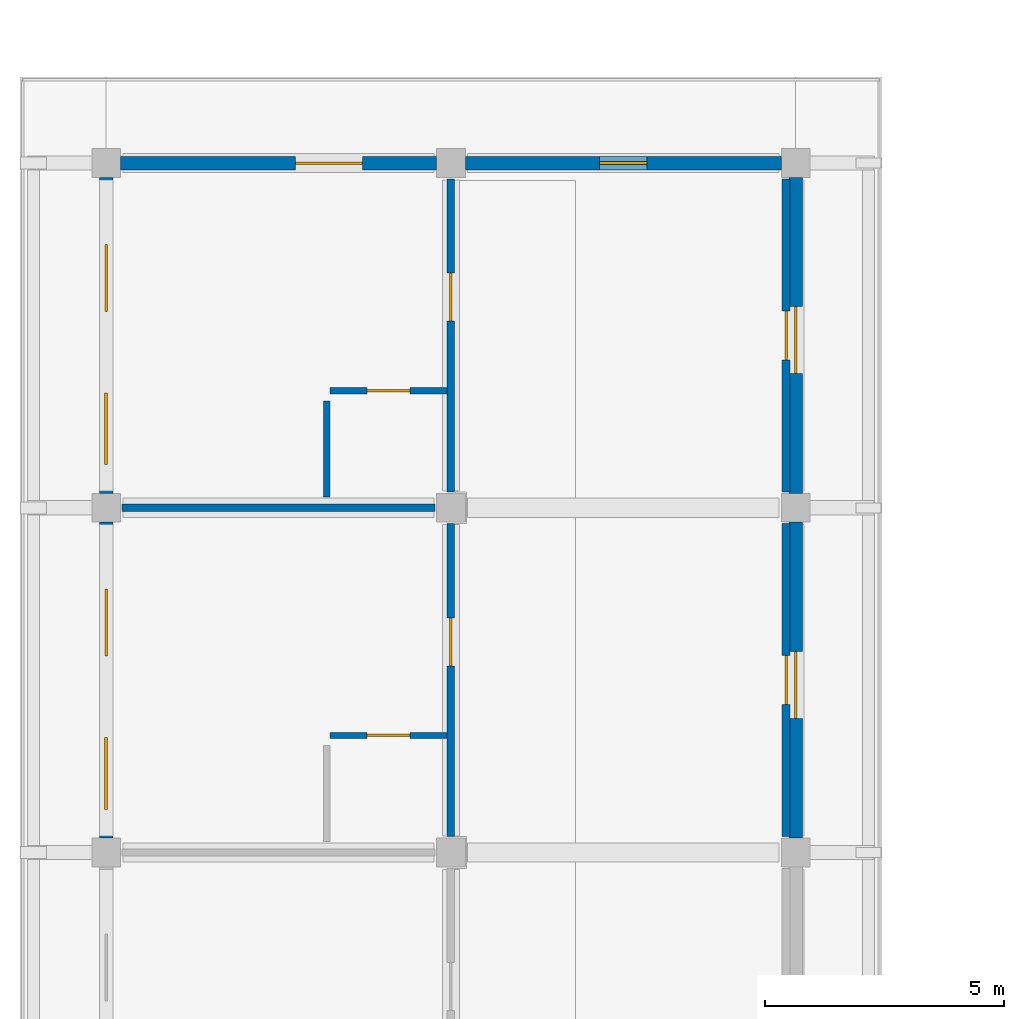
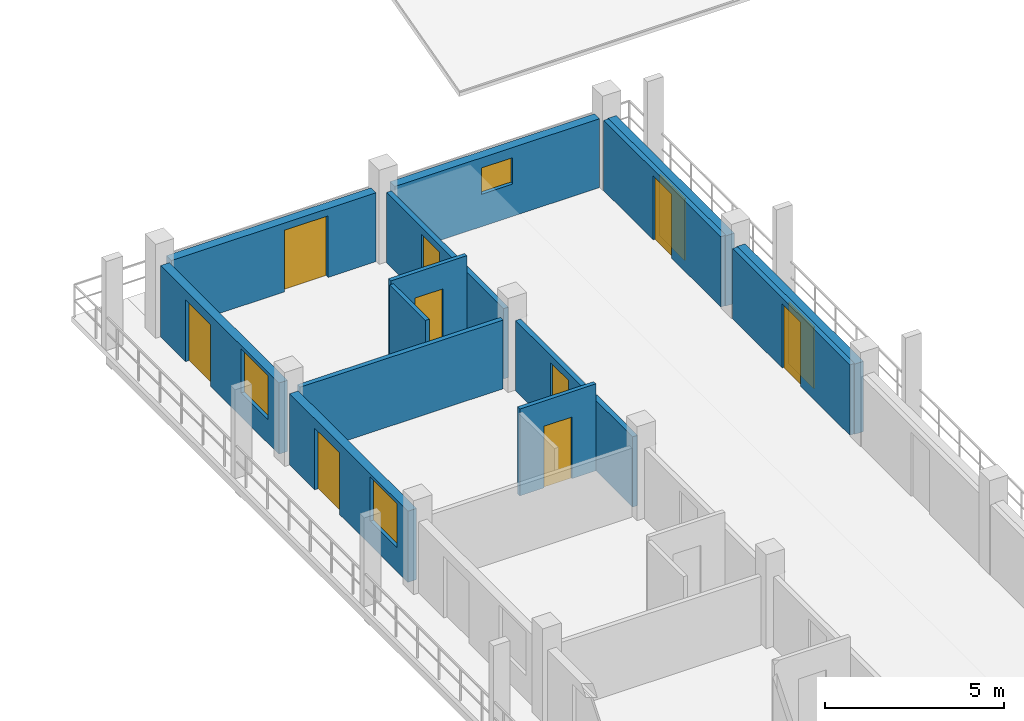
# One storey, part 117 of 157: 14 walls, 11 doors, 3 windows, 14 openings.
"""IFC4 building model written with IfcOpenShell, lengths in metres."""

from ifc_helpers import new_model, si_unit, direction, frame, frame_2d, origin, place, context, subcontext, project, spatial, rectangle, extrude, material, layer, layer_set, type_object, element, fill, save


model = new_model("IFC4")

# Units and contexts
model_context = context("Model", 3, precision=1e-05, world=origin(), true_north=direction((0.0, 1.0)))
body_context = subcontext(model_context, "Body", "Model", "MODEL_VIEW")
ifc_project = project(units=[si_unit("LENGTHUNIT", "METRE"), si_unit("AREAUNIT", "SQUARE_METRE"), si_unit("VOLUMEUNIT", "CUBIC_METRE"), si_unit("PLANEANGLEUNIT", "RADIAN"), si_unit("MASSUNIT", "GRAM", prefix="KILO")], contexts=[model_context])

# Site, building, storey
site_placement = place(None, origin())
site = spatial("IfcSite", under=ifc_project, at=site_placement, CompositionType="ELEMENT")
building_placement = place(site_placement, origin())
building = spatial("IfcBuilding", under=site, at=building_placement, Name="Suanplinth Sawtooth Commons", CompositionType="ELEMENT")
storey_placement = place(building_placement, frame((0.0, 0.0, 9.0)))
storey = spatial("IfcBuildingStorey", under=building, at=storey_placement, Name="L02", CompositionType="ELEMENT", Elevation=9.0)

# Wall, openings, door, window
ifc_material_1 = material(Name="Precast concrete C40/50", Category="concrete")
ifc_layer_1 = layer(ifc_material_1, 0.280029296875, Name="Insulated precast architectural facade wall 280mm")
ifc_layer_set_1 = layer_set([ifc_layer_1], Name="Precast concrete C40/50")
wall_type_1 = type_object("IfcWallType", Name="W-EX01", PredefinedType="ELEMENTEDWALL", material=ifc_layer_set_1)
wall_1_placement = place(storey_placement, frame((0.0, 29.10009765625, 0.0), z_axis=(0.0, 0.0, 1.0), x_axis=(0.0, 1.0, 0.0)))
wall_1 = element("IfcWall", 1, at=wall_1_placement, inside=storey, type_object=wall_type_1, Name="Facade Wall W-L02-D-W-0-4", PredefinedType="ELEMENTEDWALL", context=body_context, shape_type="SweptSolid", body=[
    extrude(rectangle(XDim=6.599853515625, YDim=0.280029296875, at=frame_2d((3.2998046875, 0.0))), origin(), (0.0, 0.0, 1.0), 2.425048828125),
])
opening_1_placement = place(wall_1_placement, frame((3.800048828125, 0.0, 0.0)))
opening_1 = element("IfcOpeningElement", 2, at=opening_1_placement, cuts=wall_1, Name="Opening ED0204", PredefinedType="OPENING", context=body_context, shape_type="SweptSolid", body=[
    extrude(rectangle(XDim=1.39990234375, YDim=2.10009765625, at=frame_2d((0.699951171875, 1.050048828125))), frame((0.0, 0.15478515625, 0.0), z_axis=(0.0, -1.0, 0.0), x_axis=(1.0, 0.0, 0.0)), (0.0, 0.0, 1.0), 0.309814453125),
])
opening_2_placement = place(wall_1_placement, frame((0.60009765625, 0.0, 0.81494140625)))
opening_2 = element("IfcOpeningElement", 3, at=opening_2_placement, cuts=wall_1, Name="Opening W0316", PredefinedType="OPENING", context=body_context, shape_type="SweptSolid", body=[
    extrude(rectangle(XDim=1.5, YDim=1.5, at=frame_2d((0.75, 0.75))), frame((0.0, 0.15478515625, 0.0), z_axis=(0.0, -1.0, 0.0), x_axis=(1.0, 0.0, 0.0)), (0.0, 0.0, 1.0), 0.309814453125),
])
ifc_material_2 = material(Name="Anodized aluminium and low-E glass", Category="aluminium")
door_type_1 = type_object("IfcDoorType", Name="SD-07", OperationType="SLIDING_TO_RIGHT", PredefinedType="DOOR", material=ifc_material_2)
door_1_placement = place(opening_1_placement, frame((1.39990234375, 0.0, 0.0), z_axis=(0.0, 0.0, 1.0), x_axis=(-1.0, 0.0, 0.0)))
door_1 = element("IfcDoor", 4, at=door_1_placement, inside=storey, type_object=door_type_1, Name="Wing Balcony Sliding Door L02-D-4", OperationType="SLIDING_TO_RIGHT", OverallHeight=2.10009765625, OverallWidth=1.39990234375, PredefinedType="DOOR", context=body_context, shape_type="SweptSolid", body=[
    extrude(rectangle(XDim=1.39990234375, YDim=2.10009765625, at=frame_2d((0.699951171875, 1.050048828125))), frame((0.0, 0.02490234375, 0.0), z_axis=(0.0, -1.0, 0.0), x_axis=(1.0, 0.0, 0.0)), (0.0, 0.0, 1.0), 0.050048828125),
])
fill(opening_1, door_1)
ifc_material_3 = material(Name="Thermally broken aluminium and low-E double glazing", Category="aluminium")
window_type_1 = type_object("IfcWindowType", Name="WN-02", PartitioningType="DOUBLE_PANEL_VERTICAL", PredefinedType="WINDOW", material=ifc_material_3)
window_1_placement = place(opening_2_placement, origin())
window_1 = element("IfcWindow", 5, at=window_1_placement, inside=storey, type_object=window_type_1, Name="Wing Window L02-D-4", OverallHeight=1.5, OverallWidth=1.5, PartitioningType="DOUBLE_PANEL_VERTICAL", PredefinedType="WINDOW", context=body_context, shape_type="SweptSolid", body=[
    extrude(rectangle(XDim=1.5, YDim=1.5, at=frame_2d((0.75, 0.75))), frame((0.0, 0.030029296875, 0.0), z_axis=(0.0, -1.0, 0.0), x_axis=(1.0, 0.0, 0.0)), (0.0, 0.0, 1.0), 0.06005859375),
])
fill(opening_2, window_1)

# Wall, opening, door
wall_2_placement = place(storey_placement, frame((0.300048828125, 43.199951171875, 0.0), z_axis=(0.0, 0.0, 1.0), x_axis=(1.0, 0.0, 0.0)))
wall_2 = element("IfcWall", 6, at=wall_2_placement, inside=storey, type_object=wall_type_1, Name="Facade Wall W-L02-D-N-0-5", PredefinedType="ELEMENTEDWALL", context=body_context, shape_type="SweptSolid", body=[
    extrude(rectangle(XDim=6.599853515625, YDim=0.280029296875, at=frame_2d((3.2998046875, 0.0))), origin(), (0.0, 0.0, 1.0), 2.344970703125),
])
opening_3_placement = place(wall_2_placement, frame((3.64990234375, 0.0, 0.0)))
opening_3 = element("IfcOpeningElement", 7, at=opening_3_placement, cuts=wall_2, Name="Opening ED0205", PredefinedType="OPENING", context=body_context, shape_type="SweptSolid", body=[
    extrude(rectangle(XDim=1.39990234375, YDim=2.10009765625, at=frame_2d((0.699951171875, 1.050048828125))), frame((0.0, 0.15478515625, 0.0), z_axis=(0.0, -1.0, 0.0), x_axis=(1.0, 0.0, 0.0)), (0.0, 0.0, 1.0), 0.309814453125),
])
door_2_placement = place(opening_3_placement, frame((1.39990234375, 0.0, 0.0), z_axis=(0.0, 0.0, 1.0), x_axis=(-1.0, 0.0, 0.0)))
door_2 = element("IfcDoor", 8, at=door_2_placement, inside=storey, type_object=door_type_1, Name="End Balcony Sliding Door L02-D-N-0-5", OperationType="SLIDING_TO_RIGHT", OverallHeight=2.10009765625, OverallWidth=1.39990234375, PredefinedType="DOOR", context=body_context, shape_type="SweptSolid", body=[
    extrude(rectangle(XDim=1.39990234375, YDim=2.10009765625, at=frame_2d((0.699951171875, 1.050048828125))), frame((0.0, 0.02490234375, 0.0), z_axis=(0.0, -1.0, 0.0), x_axis=(1.0, 0.0, 0.0)), (0.0, 0.0, 1.0), 0.050048828125),
])
fill(opening_3, door_2)

# Wall, openings, door, window
wall_3_placement = place(storey_placement, frame((0.0, 36.300048828125, 0.0), z_axis=(0.0, 0.0, 1.0), x_axis=(0.0, 1.0, 0.0)))
wall_3 = element("IfcWall", 9, at=wall_3_placement, inside=storey, type_object=wall_type_1, Name="Facade Wall W-L02-D-W-0-5", PredefinedType="ELEMENTEDWALL", context=body_context, shape_type="SweptSolid", body=[
    extrude(rectangle(XDim=6.599853515625, YDim=0.280029296875, at=frame_2d((3.2998046875, 0.0))), origin(), (0.0, 0.0, 1.0), 2.425048828125),
])
opening_4_placement = place(wall_3_placement, frame((3.800048828125, 0.0, 0.0)))
opening_4 = element("IfcOpeningElement", 10, at=opening_4_placement, cuts=wall_3, Name="Opening ED0206", PredefinedType="OPENING", context=body_context, shape_type="SweptSolid", body=[
    extrude(rectangle(XDim=1.39990234375, YDim=2.10009765625, at=frame_2d((0.699951171875, 1.050048828125))), frame((0.0, 0.15478515625, 0.0), z_axis=(0.0, -1.0, 0.0), x_axis=(1.0, 0.0, 0.0)), (0.0, 0.0, 1.0), 0.309814453125),
])
opening_5_placement = place(wall_3_placement, frame((0.60009765625, 0.0, 0.81494140625)))
opening_5 = element("IfcOpeningElement", 11, at=opening_5_placement, cuts=wall_3, Name="Opening W0317", PredefinedType="OPENING", context=body_context, shape_type="SweptSolid", body=[
    extrude(rectangle(XDim=1.5, YDim=1.5, at=frame_2d((0.75, 0.75))), frame((0.0, 0.15478515625, 0.0), z_axis=(0.0, -1.0, 0.0), x_axis=(1.0, 0.0, 0.0)), (0.0, 0.0, 1.0), 0.309814453125),
])
door_3_placement = place(opening_4_placement, frame((1.39990234375, 0.0, 0.0), z_axis=(0.0, 0.0, 1.0), x_axis=(-1.0, 0.0, 0.0)))
door_3 = element("IfcDoor", 12, at=door_3_placement, inside=storey, type_object=door_type_1, Name="Wing Balcony Sliding Door L02-D-5", OperationType="SLIDING_TO_RIGHT", OverallHeight=2.10009765625, OverallWidth=1.39990234375, PredefinedType="DOOR", context=body_context, shape_type="SweptSolid", body=[
    extrude(rectangle(XDim=1.39990234375, YDim=2.10009765625, at=frame_2d((0.699951171875, 1.050048828125))), frame((0.0, 0.02490234375, 0.0), z_axis=(0.0, -1.0, 0.0), x_axis=(1.0, 0.0, 0.0)), (0.0, 0.0, 1.0), 0.050048828125),
])
fill(opening_4, door_3)
window_2_placement = place(opening_5_placement, origin())
window_2 = element("IfcWindow", 13, at=window_2_placement, inside=storey, type_object=window_type_1, Name="Wing Window L02-D-5", OverallHeight=1.5, OverallWidth=1.5, PartitioningType="DOUBLE_PANEL_VERTICAL", PredefinedType="WINDOW", context=body_context, shape_type="SweptSolid", body=[
    extrude(rectangle(XDim=1.5, YDim=1.5, at=frame_2d((0.75, 0.75))), frame((0.0, 0.030029296875, 0.0), z_axis=(0.0, -1.0, 0.0), x_axis=(1.0, 0.0, 0.0)), (0.0, 0.0, 1.0), 0.06005859375),
])
fill(opening_5, window_2)

# Wall, opening, door
wall_4_placement = place(storey_placement, frame((14.39990234375, 29.10009765625, 0.0), z_axis=(0.0, 0.0, 1.0), x_axis=(0.0, 1.0, 0.0)))
wall_4 = element("IfcWall", 14, at=wall_4_placement, inside=storey, type_object=wall_type_1, Name="Facade Wall W-L02-D-E-1-4", PredefinedType="ELEMENTEDWALL", context=body_context, shape_type="SweptSolid", body=[
    extrude(rectangle(XDim=6.599853515625, YDim=0.280029296875, at=frame_2d((3.2998046875, 0.0))), origin(), (0.0, 0.0, 1.0), 2.39501953125),
])
opening_6_placement = place(wall_4_placement, frame((2.5, 0.0, 0.0)))
opening_6 = element("IfcOpeningElement", 15, at=opening_6_placement, cuts=wall_4, Name="Opening ED0210", PredefinedType="OPENING", context=body_context, shape_type="SweptSolid", body=[
    extrude(rectangle(XDim=1.39990234375, YDim=2.10009765625, at=frame_2d((0.699951171875, 1.050048828125))), frame((0.0, 0.15478515625, 0.0), z_axis=(0.0, -1.0, 0.0), x_axis=(1.0, 0.0, 0.0)), (0.0, 0.0, 1.0), 0.309814453125),
])
door_4_placement = place(opening_6_placement, frame((1.39990234375, 0.0, 0.0), z_axis=(0.0, 0.0, 1.0), x_axis=(-1.0, 0.0, 0.0)))
door_4 = element("IfcDoor", 16, at=door_4_placement, inside=storey, type_object=door_type_1, Name="Courtyard Veranda Studio Balcony Door L02-D-4", OperationType="SLIDING_TO_RIGHT", OverallHeight=2.10009765625, OverallWidth=1.39990234375, PredefinedType="DOOR", context=body_context, shape_type="SweptSolid", body=[
    extrude(rectangle(XDim=1.39990234375, YDim=2.10009765625, at=frame_2d((0.699951171875, 1.050048828125))), frame((0.0, 0.02490234375, 0.0), z_axis=(0.0, -1.0, 0.0), x_axis=(1.0, 0.0, 0.0)), (0.0, 0.0, 1.0), 0.050048828125),
])
fill(opening_6, door_4)

# Wall, opening, window
wall_5_placement = place(storey_placement, frame((7.5, 43.199951171875, 0.0), z_axis=(0.0, 0.0, 1.0), x_axis=(1.0, 0.0, 0.0)))
wall_5 = element("IfcWall", 17, at=wall_5_placement, inside=storey, type_object=wall_type_1, Name="Facade Wall W-L02-D-N-1-5", PredefinedType="ELEMENTEDWALL", context=body_context, shape_type="SweptSolid", body=[
    extrude(rectangle(XDim=6.60009765625, YDim=0.280029296875, at=frame_2d((3.300048828125, 0.0))), origin(), (0.0, 0.0, 1.0), 2.344970703125),
])
opening_7_placement = place(wall_5_placement, frame((2.800048828125, 0.0, 1.10009765625)))
opening_7 = element("IfcOpeningElement", 18, at=opening_7_placement, cuts=wall_5, Name="Opening W0319", PredefinedType="OPENING", context=body_context, shape_type="SweptSolid", body=[
    extrude(rectangle(XDim=1.0, YDim=0.89990234375, at=frame_2d((0.5, 0.449951171875))), frame((0.0, 0.15478515625, 0.0), z_axis=(0.0, -1.0, 0.0), x_axis=(1.0, 0.0, 0.0)), (0.0, 0.0, 1.0), 0.309814453125),
])
window_type_2 = type_object("IfcWindowType", Name="WN-12", PartitioningType="SINGLE_PANEL", PredefinedType="WINDOW", material=ifc_material_3)
window_3_placement = place(opening_7_placement, origin())
window_3 = element("IfcWindow", 19, at=window_3_placement, inside=storey, type_object=window_type_2, Name="End Window L02-D-N-1-5", OverallHeight=0.89990234375, OverallWidth=1.0, PartitioningType="SINGLE_PANEL", PredefinedType="WINDOW", context=body_context, shape_type="SweptSolid", body=[
    extrude(rectangle(XDim=1.0, YDim=0.89990234375, at=frame_2d((0.5, 0.449951171875))), frame((0.0, 0.030029296875, 0.0), z_axis=(0.0, -1.0, 0.0), x_axis=(1.0, 0.0, 0.0)), (0.0, 0.0, 1.0), 0.06005859375),
])
fill(opening_7, window_3)

# Wall, opening, door
wall_6_placement = place(storey_placement, frame((14.39990234375, 36.300048828125, 0.0), z_axis=(0.0, 0.0, 1.0), x_axis=(0.0, 1.0, 0.0)))
wall_6 = element("IfcWall", 20, at=wall_6_placement, inside=storey, type_object=wall_type_1, Name="Facade Wall W-L02-D-E-1-5", PredefinedType="ELEMENTEDWALL", context=body_context, shape_type="SweptSolid", body=[
    extrude(rectangle(XDim=6.599853515625, YDim=0.280029296875, at=frame_2d((3.2998046875, 0.0))), origin(), (0.0, 0.0, 1.0), 2.39501953125),
])
opening_8_placement = place(wall_6_placement, frame((2.5, 0.0, 0.0)))
opening_8 = element("IfcOpeningElement", 21, at=opening_8_placement, cuts=wall_6, Name="Opening ED0211", PredefinedType="OPENING", context=body_context, shape_type="SweptSolid", body=[
    extrude(rectangle(XDim=1.39990234375, YDim=2.10009765625, at=frame_2d((0.699951171875, 1.050048828125))), frame((0.0, 0.15478515625, 0.0), z_axis=(0.0, -1.0, 0.0), x_axis=(1.0, 0.0, 0.0)), (0.0, 0.0, 1.0), 0.309814453125),
])
door_5_placement = place(opening_8_placement, frame((1.39990234375, 0.0, 0.0), z_axis=(0.0, 0.0, 1.0), x_axis=(-1.0, 0.0, 0.0)))
door_5 = element("IfcDoor", 22, at=door_5_placement, inside=storey, type_object=door_type_1, Name="Courtyard Veranda Studio Balcony Door L02-D-5", OperationType="SLIDING_TO_RIGHT", OverallHeight=2.10009765625, OverallWidth=1.39990234375, PredefinedType="DOOR", context=body_context, shape_type="SweptSolid", body=[
    extrude(rectangle(XDim=1.39990234375, YDim=2.10009765625, at=frame_2d((0.699951171875, 1.050048828125))), frame((0.0, 0.02490234375, 0.0), z_axis=(0.0, -1.0, 0.0), x_axis=(1.0, 0.0, 0.0)), (0.0, 0.0, 1.0), 0.050048828125),
])
fill(opening_8, door_5)

ifc_layer_2 = layer(ifc_material_1, 0.159912109375, Name="Fire-rated corridor and lobby wall 160mm")
ifc_layer_set_2 = layer_set([ifc_layer_2], Name="Precast concrete C40/50")
wall_type_2 = type_object("IfcWallType", Name="W-FW01", PredefinedType="PARTITIONING", material=ifc_layer_set_2)
wall_7_placement = place(storey_placement, frame((7.199951171875, 29.1298828125, 0.0), z_axis=(0.0, 0.0, 1.0), x_axis=(0.0, 1.0, 0.0)))
wall_7 = element("IfcWall", 23, at=wall_7_placement, inside=storey, type_object=wall_type_2, Name="W-D-L02-L03-COR", PredefinedType="PARTITIONING", context=body_context, shape_type="SweptSolid", body=[
    extrude(rectangle(XDim=6.5400390625, YDim=0.159912109375, at=frame_2d((3.27001953125, 0.0))), origin(), (0.0, 0.0, 1.0), 2.39501953125),
])
opening_9_placement = place(wall_7_placement, frame((3.570068359375, 0.0, 0.0)))
opening_9 = element("IfcOpeningElement", 24, at=opening_9_placement, cuts=wall_7, Name="Opening FD0860", PredefinedType="OPENING", context=body_context, shape_type="SweptSolid", body=[
    extrude(rectangle(XDim=1.0, YDim=2.14990234375, at=frame_2d((0.5, 1.074951171875))), frame((0.0, 0.0947265625, 0.0), z_axis=(0.0, -1.0, 0.0), x_axis=(1.0, 0.0, 0.0)), (0.0, 0.0, 1.0), 0.189697265625),
])
ifc_material_4 = material(Name="Teak hardwood fire-rated door assembly", Category="wood")
door_type_2 = type_object("IfcDoorType", Name="FD-03", OperationType="NOTDEFINED", PredefinedType="DOOR", material=ifc_material_4)
door_6_placement = place(opening_9_placement, origin())
door_6 = element("IfcDoor", 25, at=door_6_placement, inside=storey, type_object=door_type_2, Name="Wing Unit Entrance Door FD0860", OperationType="SINGLE_SWING_RIGHT", OverallHeight=2.14990234375, OverallWidth=1.0, PredefinedType="DOOR", context=body_context, shape_type="SweptSolid", body=[
    extrude(rectangle(XDim=1.0, YDim=2.14990234375, at=frame_2d((0.5, 1.074951171875))), frame((0.0, 0.02490234375, 0.0), z_axis=(0.0, -1.0, 0.0), x_axis=(1.0, 0.0, 0.0)), (0.0, 0.0, 1.0), 0.050048828125),
])
fill(opening_9, door_6)

wall_8_placement = place(storey_placement, frame((14.199951171875, 29.1298828125, 0.0), z_axis=(0.0, 0.0, 1.0), x_axis=(0.0, 1.0, 0.0)))
wall_8 = element("IfcWall", 26, at=wall_8_placement, inside=storey, type_object=wall_type_2, Name="W-D-L02-LEGCOURTROOM-73-COR", PredefinedType="PARTITIONING", context=body_context, shape_type="SweptSolid", body=[
    extrude(rectangle(XDim=6.5400390625, YDim=0.159912109375, at=frame_2d((3.27001953125, 0.0))), origin(), (0.0, 0.0, 1.0), 2.39501953125),
])
opening_10_placement = place(wall_8_placement, frame((2.760009765625, 0.0, 0.0)))
opening_10 = element("IfcOpeningElement", 27, at=opening_10_placement, cuts=wall_8, Name="Opening D0862", PredefinedType="OPENING", context=body_context, shape_type="SweptSolid", body=[
    extrude(rectangle(XDim=1.02001953125, YDim=2.179931640625, at=frame_2d((0.510009765625, 1.08984375))), frame((0.0, 0.0947265625, 0.0), z_axis=(0.0, -1.0, 0.0), x_axis=(1.0, 0.0, 0.0)), (0.0, 0.0, 1.0), 0.189697265625),
])
ifc_material_5 = material(Name="Teak hardwood", Category="wood")
door_type_3 = type_object("IfcDoorType", Name="D-16", OperationType="NOTDEFINED", PredefinedType="DOOR", material=ifc_material_5)
door_7_placement = place(opening_10_placement, frame((1.02001953125, 0.0, 0.0), z_axis=(0.0, 0.0, 1.0), x_axis=(-1.0, 0.0, 0.0)))
door_7 = element("IfcDoor", 28, at=door_7_placement, inside=storey, type_object=door_type_3, Name="Veranda Studio Door D0862", OperationType="SINGLE_SWING_RIGHT", OverallHeight=2.179931640625, OverallWidth=1.02001953125, PredefinedType="DOOR", context=body_context, shape_type="SweptSolid", body=[
    extrude(rectangle(XDim=1.02001953125, YDim=2.179931640625, at=frame_2d((0.510009765625, 1.08984375))), frame((0.0, 0.02490234375, 0.0), z_axis=(0.0, -1.0, 0.0), x_axis=(1.0, 0.0, 0.0)), (0.0, 0.0, 1.0), 0.050048828125),
])
fill(opening_10, door_7)

wall_9_placement = place(storey_placement, frame((7.199951171875, 36.330078125, 0.0), z_axis=(0.0, 0.0, 1.0), x_axis=(0.0, 1.0, 0.0)))
wall_9 = element("IfcWall", 29, at=wall_9_placement, inside=storey, type_object=wall_type_2, Name="W-D-L02-L04-COR", PredefinedType="PARTITIONING", context=body_context, shape_type="SweptSolid", body=[
    extrude(rectangle(XDim=6.5400390625, YDim=0.159912109375, at=frame_2d((3.27001953125, 0.0))), origin(), (0.0, 0.0, 1.0), 2.39501953125),
])
opening_11_placement = place(wall_9_placement, frame((3.570068359375, 0.0, 0.0)))
opening_11 = element("IfcOpeningElement", 30, at=opening_11_placement, cuts=wall_9, Name="Opening FD0863", PredefinedType="OPENING", context=body_context, shape_type="SweptSolid", body=[
    extrude(rectangle(XDim=1.0, YDim=2.14990234375, at=frame_2d((0.5, 1.074951171875))), frame((0.0, 0.0947265625, 0.0), z_axis=(0.0, -1.0, 0.0), x_axis=(1.0, 0.0, 0.0)), (0.0, 0.0, 1.0), 0.189697265625),
])
door_8_placement = place(opening_11_placement, origin())
door_8 = element("IfcDoor", 31, at=door_8_placement, inside=storey, type_object=door_type_2, Name="Wing Unit Entrance Door FD0863", OperationType="SINGLE_SWING_LEFT", OverallHeight=2.14990234375, OverallWidth=1.0, PredefinedType="DOOR", context=body_context, shape_type="SweptSolid", body=[
    extrude(rectangle(XDim=1.0, YDim=2.14990234375, at=frame_2d((0.5, 1.074951171875))), frame((0.0, 0.02490234375, 0.0), z_axis=(0.0, -1.0, 0.0), x_axis=(1.0, 0.0, 0.0)), (0.0, 0.0, 1.0), 0.050048828125),
])
fill(opening_11, door_8)

wall_10_placement = place(storey_placement, frame((14.199951171875, 36.330078125, 0.0), z_axis=(0.0, 0.0, 1.0), x_axis=(0.0, 1.0, 0.0)))
wall_10 = element("IfcWall", 32, at=wall_10_placement, inside=storey, type_object=wall_type_2, Name="W-D-L02-LEGCOURTROOM-75-COR", PredefinedType="PARTITIONING", context=body_context, shape_type="SweptSolid", body=[
    extrude(rectangle(XDim=6.5400390625, YDim=0.159912109375, at=frame_2d((3.27001953125, 0.0))), origin(), (0.0, 0.0, 1.0), 2.39501953125),
])
opening_12_placement = place(wall_10_placement, frame((2.760009765625, 0.0, 0.0)))
opening_12 = element("IfcOpeningElement", 33, at=opening_12_placement, cuts=wall_10, Name="Opening D0865", PredefinedType="OPENING", context=body_context, shape_type="SweptSolid", body=[
    extrude(rectangle(XDim=1.02001953125, YDim=2.179931640625, at=frame_2d((0.510009765625, 1.08984375))), frame((0.0, 0.0947265625, 0.0), z_axis=(0.0, -1.0, 0.0), x_axis=(1.0, 0.0, 0.0)), (0.0, 0.0, 1.0), 0.189697265625),
])
door_9_placement = place(opening_12_placement, frame((1.02001953125, 0.0, 0.0), z_axis=(0.0, 0.0, 1.0), x_axis=(-1.0, 0.0, 0.0)))
door_9 = element("IfcDoor", 34, at=door_9_placement, inside=storey, type_object=door_type_3, Name="Veranda Studio Door D0865", OperationType="SINGLE_SWING_LEFT", OverallHeight=2.179931640625, OverallWidth=1.02001953125, PredefinedType="DOOR", context=body_context, shape_type="SweptSolid", body=[
    extrude(rectangle(XDim=1.02001953125, YDim=2.179931640625, at=frame_2d((0.510009765625, 1.08984375))), frame((0.0, 0.02490234375, 0.0), z_axis=(0.0, -1.0, 0.0), x_axis=(1.0, 0.0, 0.0)), (0.0, 0.0, 1.0), 0.050048828125),
])
fill(opening_12, door_9)

# Wall
ifc_layer_3 = layer(ifc_material_1, 0.14990234375, Name="Acoustic precast party demising wall 150mm")
ifc_layer_set_3 = layer_set([ifc_layer_3], Name="Precast concrete C40/50")
wall_type_3 = type_object("IfcWallType", Name="W-FW02", PredefinedType="PARTITIONING", material=ifc_layer_set_3)
wall_11_placement = place(storey_placement, frame((0.330078125, 36.0, 0.0), z_axis=(0.0, 0.0, 1.0), x_axis=(1.0, 0.0, 0.0)))
element("IfcWall", 35, at=wall_11_placement, inside=storey, type_object=wall_type_3, Name="W-D-L02-L03-PTY", PredefinedType="PARTITIONING", context=body_context, shape_type="SweptSolid", body=[
    extrude(rectangle(XDim=6.5400390625, YDim=0.14990234375, at=frame_2d((3.27001953125, 0.0))), origin(), (0.0, 0.0, 1.0), 2.344970703125),
])

# Wall, opening, door
ifc_material_6 = material(Name="Gypsum plasterboard on steel stud", Category="steel")
ifc_layer_4 = layer(ifc_material_6, 0.1298828125, Name="Moisture-resistant bathroom partition 130mm")
ifc_layer_set_4 = layer_set([ifc_layer_4], Name="Gypsum plasterboard on steel stud")
wall_type_4 = type_object("IfcWallType", Name="W-PT02", PredefinedType="PARTITIONING", material=ifc_layer_set_4)
wall_12_placement = place(storey_placement, frame((4.669921875, 31.2451171875, 0.0), z_axis=(0.0, 0.0, 1.0), x_axis=(1.0, 0.0, 0.0)))
wall_12 = element("IfcWall", 36, at=wall_12_placement, inside=storey, type_object=wall_type_4, Name="W-D-L02-L03-BTH1", PredefinedType="PARTITIONING", context=body_context, shape_type="SweptSolid", body=[
    extrude(rectangle(XDim=2.4501953125, YDim=0.1298828125, at=frame_2d((1.22509765625, 0.0))), origin(), (0.0, 0.0, 1.0), 2.9599609375),
])
opening_13_placement = place(wall_12_placement, frame((0.77490234375, 0.0, 0.0)))
opening_13 = element("IfcOpeningElement", 37, at=opening_13_placement, cuts=wall_12, Name="Opening D0861", PredefinedType="OPENING", context=body_context, shape_type="SweptSolid", body=[
    extrude(rectangle(XDim=0.89990234375, YDim=2.10009765625, at=frame_2d((0.449951171875, 1.050048828125))), frame((0.0, 0.079833984375, 0.0), z_axis=(0.0, -1.0, 0.0), x_axis=(1.0, 0.0, 0.0)), (0.0, 0.0, 1.0), 0.15966796875),
])
door_type_4 = type_object("IfcDoorType", Name="D-01", OperationType="NOTDEFINED", PredefinedType="DOOR", material=ifc_material_5)
door_10_placement = place(opening_13_placement, frame((0.89990234375, 0.0, 0.0), z_axis=(0.0, 0.0, 1.0), x_axis=(-1.0, 0.0, 0.0)))
door_10 = element("IfcDoor", 38, at=door_10_placement, inside=storey, type_object=door_type_4, Name="Bathroom Door D0861", OperationType="SINGLE_SWING_LEFT", OverallHeight=2.10009765625, OverallWidth=0.89990234375, PredefinedType="DOOR", context=body_context, shape_type="SweptSolid", body=[
    extrude(rectangle(XDim=0.89990234375, YDim=2.10009765625, at=frame_2d((0.449951171875, 1.050048828125))), frame((0.0, 0.02490234375, 0.0), z_axis=(0.0, -1.0, 0.0), x_axis=(1.0, 0.0, 0.0)), (0.0, 0.0, 1.0), 0.050048828125),
])
fill(opening_13, door_10)

wall_13_placement = place(storey_placement, frame((4.669921875, 38.445068359375, 0.0), z_axis=(0.0, 0.0, 1.0), x_axis=(1.0, 0.0, 0.0)))
wall_13 = element("IfcWall", 39, at=wall_13_placement, inside=storey, type_object=wall_type_4, Name="W-D-L02-L04-BTH1", PredefinedType="PARTITIONING", context=body_context, shape_type="SweptSolid", body=[
    extrude(rectangle(XDim=2.4501953125, YDim=0.1298828125, at=frame_2d((1.22509765625, 0.0))), origin(), (0.0, 0.0, 1.0), 2.9599609375),
])
opening_14_placement = place(wall_13_placement, frame((0.77490234375, 0.0, 0.0)))
opening_14 = element("IfcOpeningElement", 40, at=opening_14_placement, cuts=wall_13, Name="Opening D0864", PredefinedType="OPENING", context=body_context, shape_type="SweptSolid", body=[
    extrude(rectangle(XDim=0.89990234375, YDim=2.10009765625, at=frame_2d((0.449951171875, 1.050048828125))), frame((0.0, 0.079833984375, 0.0), z_axis=(0.0, -1.0, 0.0), x_axis=(1.0, 0.0, 0.0)), (0.0, 0.0, 1.0), 0.15966796875),
])
door_11_placement = place(opening_14_placement, frame((0.89990234375, 0.0, 0.0), z_axis=(0.0, 0.0, 1.0), x_axis=(-1.0, 0.0, 0.0)))
door_11 = element("IfcDoor", 41, at=door_11_placement, inside=storey, type_object=door_type_4, Name="Bathroom Door D0864", OperationType="SINGLE_SWING_RIGHT", OverallHeight=2.10009765625, OverallWidth=0.89990234375, PredefinedType="DOOR", context=body_context, shape_type="SweptSolid", body=[
    extrude(rectangle(XDim=0.89990234375, YDim=2.10009765625, at=frame_2d((0.449951171875, 1.050048828125))), frame((0.0, 0.02490234375, 0.0), z_axis=(0.0, -1.0, 0.0), x_axis=(1.0, 0.0, 0.0)), (0.0, 0.0, 1.0), 0.050048828125),
])
fill(opening_14, door_11)

# Wall
wall_14_placement = place(storey_placement, frame((4.60498046875, 36.22998046875, 0.0), z_axis=(0.0, 0.0, 1.0), x_axis=(0.0, 1.0, 0.0)))
element("IfcWall", 42, at=wall_14_placement, inside=storey, type_object=wall_type_4, Name="W-D-L02-L04-BTH2", PredefinedType="PARTITIONING", context=body_context, shape_type="SweptSolid", body=[
    extrude(rectangle(XDim=2.0, YDim=0.1298828125, at=frame_2d((1.0, 0.0))), origin(), (0.0, 0.0, 1.0), 2.9599609375),
])

save(model, "model.ifc")
